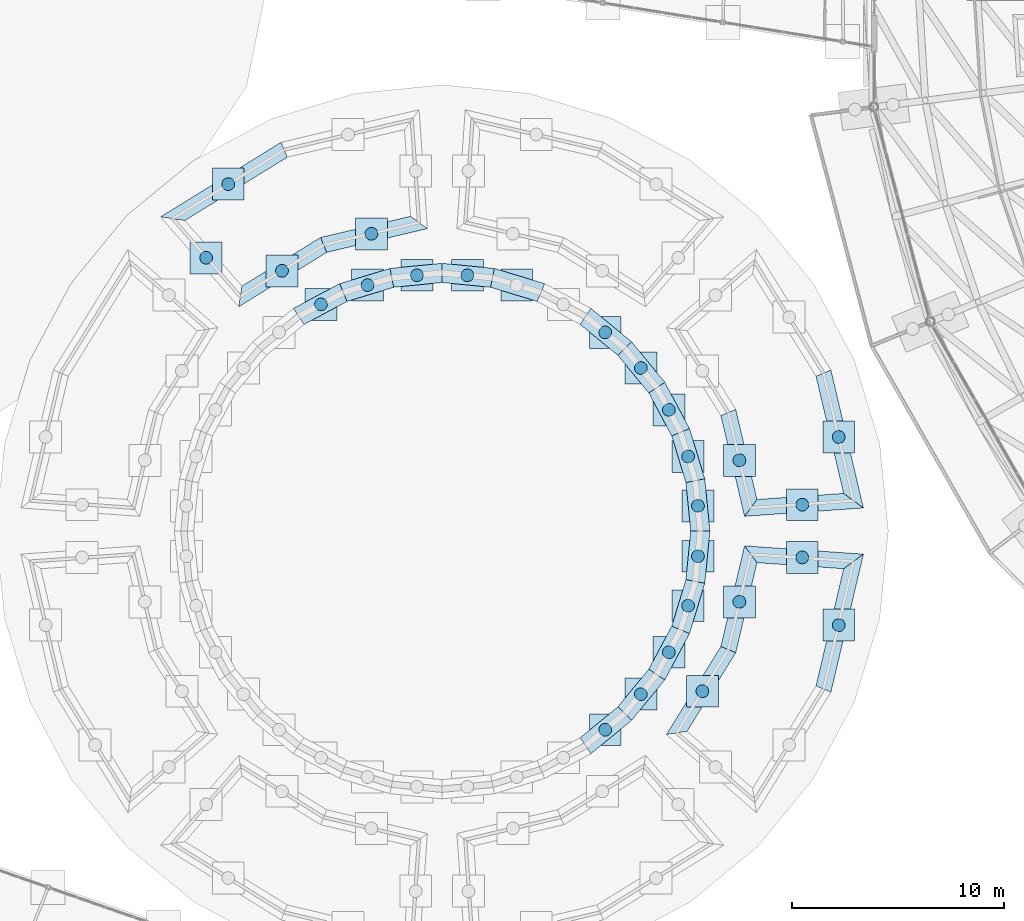
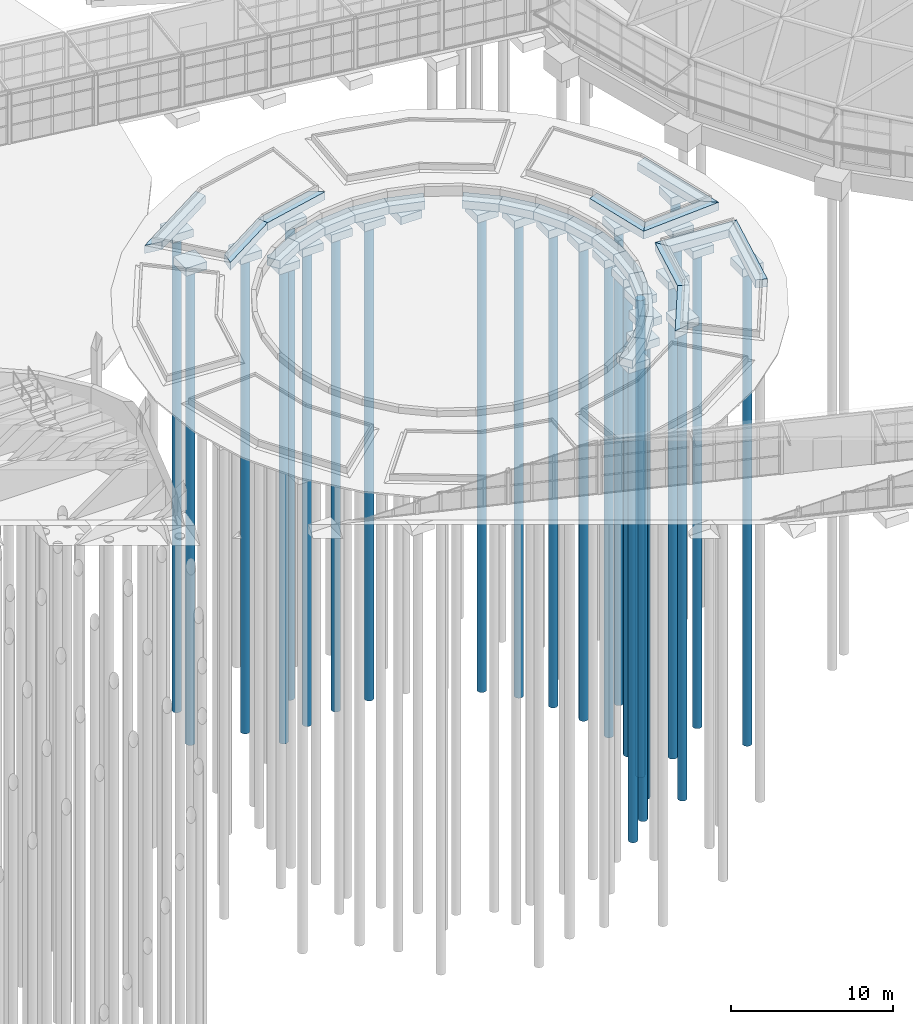
# One storey, part 5 of 226: 51 footings, 25 piles.
"""IFC4 building model written with IfcOpenShell, lengths in metres."""

import ifcopenshell
import ifcopenshell.guid

model = None  # the IFC model being written
_history = None  # IfcOwnerHistory: only IFC2X3 demands one
_inside = {}  # id of a spatial element -> (the spatial element, [elements in it])
_under = {}  # id of a project, library or spatial element -> (it, [spatial elements below it])
_declared = {}  # id of a project -> (the project, [libraries it declares])
_typed = {}  # id of a type object -> (the type object, [elements of that type])
_made_of = {}  # id of a material, layer set ... -> (it, [elements and type objects made of it])


def new_model(schema):
    """Start an empty IFC model of exactly this schema.

    Asked for "IFC4X3", IfcOpenShell would pick the latest addendum, in which some entities
    have other attributes; the version numbers below select the first issue.
    IFC2X3 requires an IfcOwnerHistory on every rooted entity: one is made here for all.
    """
    global model, _history
    if schema == "IFC4X3":
        model = ifcopenshell.file(schema_version=(4, 3, 0, 0))
    else:
        model = ifcopenshell.file(schema=schema)
    _inside.clear()
    _under.clear()
    _declared.clear()
    _typed.clear()
    _made_of.clear()
    _history = None
    if model.schema == "IFC2X3":
        org = make("IfcOrganization", Name="unknown")
        user = make(
            "IfcPersonAndOrganization",
            ThePerson=make("IfcPerson", FamilyName="unknown"),
            TheOrganization=org,
        )
        app = make(
            "IfcApplication",
            ApplicationDeveloper=org,
            Version="unknown",
            ApplicationFullName="unknown",
            ApplicationIdentifier="unknown",
        )
        _history = make(
            "IfcOwnerHistory",
            OwningUser=user,
            OwningApplication=app,
            ChangeAction="ADDED",
            CreationDate=0,
        )
    return model


def make(cls, **values):
    """One entity of the class cls with the attributes given. An attribute that is None is left unset."""
    return model.create_entity(
        cls, **{name: value for name, value in values.items() if value is not None}
    )


def rooted(cls, **values):
    """An entity with a GlobalId (a new one), such as an element, a storey or a relation."""
    return make(cls, GlobalId=ifcopenshell.guid.new(), OwnerHistory=_history, **values)


def si_unit(unit_type, name, prefix=None):
    """IfcSIUnit, for example si_unit("LENGTHUNIT", "METRE", prefix="MILLI")."""
    return make("IfcSIUnit", UnitType=unit_type, Prefix=prefix, Name=name)


def assignment(units):
    """IfcUnitAssignment: the units of a project."""
    return None if units is None else make("IfcUnitAssignment", Units=units)


def point(xyz):
    """IfcCartesianPoint."""
    return None if xyz is None else make("IfcCartesianPoint", Coordinates=xyz)


def direction(xyz):
    """IfcDirection."""
    return None if xyz is None else make("IfcDirection", DirectionRatios=xyz)


def frame(location, z_axis=None, x_axis=None):
    """IfcAxis2Placement3D, a coordinate frame: its origin and axes. An axis left out is left unset."""
    return make(
        "IfcAxis2Placement3D",
        Location=point(location),
        Axis=direction(z_axis),
        RefDirection=direction(x_axis),
    )


def frame_2d(location, x_axis=None):
    """IfcAxis2Placement2D, a coordinate frame in the plane: its origin and x axis."""
    return make(
        "IfcAxis2Placement2D", Location=point(location), RefDirection=direction(x_axis)
    )


def origin():
    """The frame at (0, 0, 0) with its axes left unset."""
    return frame((0.0, 0.0, 0.0))


def origin_2d():
    """The frame at (0, 0) in the plane with its x axis left unset."""
    return frame_2d((0.0, 0.0))


def place(relative_to, where):
    """IfcLocalPlacement: puts the frame where relative to a parent placement (None: the world)."""
    return make(
        "IfcLocalPlacement", PlacementRelTo=relative_to, RelativePlacement=where
    )


def context(
    kind, dimensions, precision=None, world=None, true_north=None, identifier=None
):
    """IfcGeometricRepresentationContext, for example the 3D "Model" context."""
    return make(
        "IfcGeometricRepresentationContext",
        ContextIdentifier=identifier,
        ContextType=kind,
        CoordinateSpaceDimension=dimensions,
        Precision=precision,
        WorldCoordinateSystem=world,
        TrueNorth=true_north,
    )


def subcontext(parent, identifier, kind, view, scale=None):
    """IfcGeometricRepresentationSubContext, for example "Body" below "Model"."""
    return make(
        "IfcGeometricRepresentationSubContext",
        ContextIdentifier=identifier,
        ContextType=kind,
        ParentContext=parent,
        TargetScale=scale,
        TargetView=view,
    )


def project(units=None, contexts=None):
    """IfcProject with its units and contexts."""
    return rooted(
        "IfcProject",
        Name="project",
        RepresentationContexts=contexts,
        UnitsInContext=assignment(units),
    )


def spatial(cls, under=None, at=None, **own):
    """A site, building, storey or space (cls), placed at a placement, below another one or the project."""
    s = rooted(cls, ObjectPlacement=at, **own)
    if under is not None:
        _under.setdefault(under.id(), (under, []))[1].append(s)
    return s


def polyline(points):
    """IfcPolyline through the points."""
    return make("IfcPolyline", Points=[point(p) for p in points])


def profile(cls, at=None, kind="AREA", **sizes):
    """A parametric profile (cls). Its sizes go by their IFC names, for example OverallWidth=200.0."""
    return make(cls, ProfileType=kind, Position=at, **sizes)


def circle(**sizes):
    """IfcCircleProfileDef."""
    return profile("IfcCircleProfileDef", **sizes)


def outline(outer, holes=None, kind="AREA"):
    """IfcArbitraryClosedProfileDef: a profile drawn as a closed curve; with holes, ...WithVoids."""
    if holes is None:
        return make("IfcArbitraryClosedProfileDef", ProfileType=kind, OuterCurve=outer)
    return make(
        "IfcArbitraryProfileDefWithVoids",
        ProfileType=kind,
        OuterCurve=outer,
        InnerCurves=holes,
    )


def extrude(swept, where, along, depth):
    """IfcExtrudedAreaSolid: the profile swept, set in the frame where, extruded along a direction by depth."""
    return make(
        "IfcExtrudedAreaSolid",
        SweptArea=swept,
        Position=where,
        ExtrudedDirection=direction(along),
        Depth=depth,
    )


def shape(context_of_items, identifier, shape_type, items):
    """IfcShapeRepresentation: the items that make up one representation, for example the "Body"."""
    return make(
        "IfcShapeRepresentation",
        ContextOfItems=context_of_items,
        RepresentationIdentifier=identifier,
        RepresentationType=shape_type,
        Items=items,
    )


def material(Name=None, Category=None):
    """IfcMaterial."""
    return make("IfcMaterial", Name=Name, Category=Category)


def layer(
    of_material, thickness, ventilated=None, Name=None, Category=None, Priority=None
):
    """IfcMaterialLayer: one layer of a wall or slab, of a material (None: an air gap)."""
    return make(
        "IfcMaterialLayer",
        Material=of_material,
        LayerThickness=thickness,
        IsVentilated=ventilated,
        Name=Name,
        Category=Category,
        Priority=Priority,
    )


def layer_set(layers, Name=None):
    """IfcMaterialLayerSet."""
    return make("IfcMaterialLayerSet", MaterialLayers=layers, LayerSetName=Name)


def material_profile(
    of_material, cross_section, Name=None, Category=None, Priority=None
):
    """IfcMaterialProfile: a cross section and its material."""
    return make(
        "IfcMaterialProfile",
        Name=Name,
        Material=of_material,
        Profile=cross_section,
        Priority=Priority,
        Category=Category,
    )


def profile_set(profiles, Name=None, composite=None):
    """IfcMaterialProfileSet."""
    return make(
        "IfcMaterialProfileSet",
        Name=Name,
        MaterialProfiles=profiles,
        CompositeProfile=composite,
    )


def made_of(thing, what):
    """Note that an element or type object is made of a material, layer set ...; save() writes the relation."""
    if what is not None:
        _made_of.setdefault(what.id(), (what, []))[1].append(thing)
    return thing


def type_object(cls, material=None, **own):
    """A type object (cls), such as IfcWallType, which elements share."""
    return made_of(rooted(cls, **own), material)


def element(
    cls,
    number,
    at=None,
    inside=None,
    cuts=None,
    type_object=None,
    material=None,
    context=None,
    identifier="Body",
    shape_type=None,
    held_by="IfcProductDefinitionShape",
    body=None,
    shapes=None,
    **own,
):
    """One element of the class cls, such as IfcWall. Its Tag is "e" and its number.

    at: its placement. inside: the storey or other place that contains it. cuts: it is an
    opening in that element (IfcRelVoidsElement). A single representation is given by context,
    identifier, shape_type and body (its items); several are given by shapes. held_by: the class
    of the entity that holds the representations. save() writes the other relations.
    """
    e = rooted(cls, Tag="e%d" % number, ObjectPlacement=at, **own)
    if body is not None:
        shapes = [shape(context, identifier, shape_type, body)]
    if shapes is not None:
        e.Representation = make(held_by, Representations=shapes)
    if inside is not None:
        _inside.setdefault(inside.id(), (inside, []))[1].append(e)
    if cuts is not None:
        rooted(
            "IfcRelVoidsElement", RelatingBuildingElement=cuts, RelatedOpeningElement=e
        )
    if type_object is not None:
        _typed.setdefault(type_object.id(), (type_object, []))[1].append(e)
    return made_of(e, material)


def aggregate(whole, parts):
    """IfcRelAggregates: a whole, such as a stair, and the parts it consists of."""
    return rooted("IfcRelAggregates", RelatingObject=whole, RelatedObjects=parts)


def save(model, path):
    """Write the relations noted so far, then the file.

    IfcRelAggregates (storeys below a building ...), IfcRelContainedInSpatialStructure (elements
    in a storey), IfcRelDefinesByType, IfcRelAssociatesMaterial and IfcRelDeclares: one each for
    every whole, place, type object, material and project.
    """
    for whole, parts in _under.values():
        aggregate(whole, parts)
    for where, things in _inside.values():
        rooted(
            "IfcRelContainedInSpatialStructure",
            RelatedElements=things,
            RelatingStructure=where,
        )
    for kind, things in _typed.values():
        rooted("IfcRelDefinesByType", RelatedObjects=things, RelatingType=kind)
    for what, things in _made_of.values():
        rooted("IfcRelAssociatesMaterial", RelatedObjects=things, RelatingMaterial=what)
    for by, libraries in _declared.values():
        rooted("IfcRelDeclares", RelatingContext=by, RelatedDefinitions=libraries)
    model.write(path)


model = new_model("IFC4")

# Units and contexts
model_context = context("Model", 3, precision=1e-05, world=origin(), true_north=direction((0.0, 1.0)))
body_context = subcontext(model_context, "Body", "Model", "MODEL_VIEW")
ifc_project = project(units=[si_unit("LENGTHUNIT", "METRE"), si_unit("AREAUNIT", "SQUARE_METRE"), si_unit("VOLUMEUNIT", "CUBIC_METRE"), si_unit("PLANEANGLEUNIT", "RADIAN"), si_unit("MASSUNIT", "GRAM", prefix="KILO")], contexts=[model_context])

# Site, building, storey
site_placement = place(None, origin())
site = spatial("IfcSite", under=ifc_project, at=site_placement, CompositionType="ELEMENT")
building_placement = place(site_placement, origin())
building = spatial("IfcBuilding", under=site, at=building_placement, Name="Ceibo Conservatory and Research Tower", CompositionType="ELEMENT")
storey_placement = place(building_placement, origin())
storey = spatial("IfcBuildingStorey", under=building, at=storey_placement, Name="L00", CompositionType="ELEMENT", Elevation=0.0)

# Piles
ifc_material_1 = material(Name="Concrete C35/45", Category="concrete")
ifc_material_profile = material_profile(ifc_material_1, circle(Radius=0.300048828125, at=origin_2d()), Name="RC D600")
ifc_profile_set = profile_set([ifc_material_profile], Name="Concrete C35/45")
pile_type = type_object("IfcPileType", Name="Bored pile D600", PredefinedType="BORED", material=ifc_profile_set)
for number, where, z_axis, x_axis, name in (
    (1, (108.0380859375, 84.185546875, -1.550048828125), (0.0, 0.0, -1.0), (1.0, 0.0, 0.0), "Pile CARRY.SITE.STRIP.COURT.BASIN.KERB.F01 01"),
    (2, (107.575439453125, 86.511474609375, -1.550048828125), (0.0, 0.0, -1.0), (1.0, 0.0, 0.0), "Pile CARRY.SITE.STRIP.COURT.BASIN.KERB.F02 01"),
    (3, (106.66796875, 88.7021484375, -1.550048828125), (0.0, 0.0, -1.0), (1.0, 0.0, 0.0), "Pile CARRY.SITE.STRIP.COURT.BASIN.KERB.F03 01"),
    (4, (105.3505859375, 90.673828125, -1.550048828125), (0.0, 0.0, -1.0), (1.0, 0.0, 0.0), "Pile CARRY.SITE.STRIP.COURT.BASIN.KERB.F04 01"),
    (5, (103.673828125, 92.3505859375, -1.550048828125), (0.0, 0.0, -1.0), (1.0, 0.0, 0.0), "Pile CARRY.SITE.STRIP.COURT.BASIN.KERB.F05 01"),
    (6, (97.185546875, 95.0380859375, -1.550048828125), (0.0, 0.0, -1.0), (1.0, 0.0, 0.0), "Pile CARRY.SITE.STRIP.COURT.BASIN.KERB.F08 01"),
    (7, (94.814453125, 95.0380859375, -1.550048828125), (0.0, 0.0, -1.0), (1.0, 0.0, 0.0), "Pile CARRY.SITE.STRIP.COURT.BASIN.KERB.F09 01"),
    (8, (92.488525390625, 94.575439453125, -1.550048828125), (0.0, 0.0, -1.0), (1.0, 0.0, 0.0), "Pile CARRY.SITE.STRIP.COURT.BASIN.KERB.F10 01"),
    (9, (90.2978515625, 93.66796875, -1.550048828125), (0.0, 0.0, -1.0), (1.0, 0.0, 0.0), "Pile CARRY.SITE.STRIP.COURT.BASIN.KERB.F11 01"),
    (10, (103.673828125, 73.6494140625, -1.550048828125), (0.0, 0.0, -1.0), (1.0, 0.0, 0.0), "Pile CARRY.SITE.STRIP.COURT.BASIN.KERB.F28 01"),
    (11, (105.3505859375, 75.326171875, -1.550048828125), (0.0, 0.0, -1.0), (1.0, 0.0, 0.0), "Pile CARRY.SITE.STRIP.COURT.BASIN.KERB.F29 01"),
    (12, (106.66796875, 77.2978515625, -1.550048828125), (0.0, 0.0, -1.0), (1.0, 0.0, 0.0), "Pile CARRY.SITE.STRIP.COURT.BASIN.KERB.F30 01"),
    (13, (107.575439453125, 79.488525390625, -1.550048828125), (0.0, 0.0, -1.0), (1.0, 0.0, 0.0), "Pile CARRY.SITE.STRIP.COURT.BASIN.KERB.F31 01"),
    (14, (108.0380859375, 81.814453125, -1.550048828125), (0.0, 0.0, -1.0), (1.0, 0.0, 0.0), "Pile CARRY.SITE.STRIP.COURT.BASIN.KERB.F32 01"),
    (15, (112.94580078125, 84.240478515625, -1.10009765625), (0.0, 0.0, -1.0), (1.0, 0.0, 0.0), "Pile CARRY.SITE.STRIP.COURT.PB1.KERB.F01 01"),
    (16, (114.663330078125, 87.428466796875, -1.10009765625), (0.0, 0.0, -1.0), (1.0, 0.0, 0.0), "Pile CARRY.SITE.STRIP.COURT.PB1.KERB.F02 01"),
    (17, (109.98876953125, 86.329345703125, -1.10009765625), (0.0, 0.0, -1.0), (1.0, 0.0, 0.0), "Pile CARRY.SITE.STRIP.COURT.PB1.KERB.F06 01"),
    (18, (85.934326171875, 99.328369140625, -1.10009765625), (0.0, 0.0, -1.0), (1.0, 0.0, 0.0), "Pile CARRY.SITE.STRIP.COURT.PB3.KERB.F03 01"),
    (19, (84.894775390625, 95.859619140625, -1.10009765625), (0.0, 0.0, -1.0), (1.0, 0.0, 0.0), "Pile CARRY.SITE.STRIP.COURT.PB3.KERB.F04 01"),
    (20, (88.462646484375, 95.245849609375, -1.10009765625), (0.0, 0.0, -1.0), (1.0, 0.0, 0.0), "Pile CARRY.SITE.STRIP.COURT.PB3.KERB.F05 01"),
    (21, (92.670654296875, 96.98876953125, -1.10009765625), (0.0, 0.0, -1.0), (1.0, 0.0, 0.0), "Pile CARRY.SITE.STRIP.COURT.PB3.KERB.F06 01"),
    (22, (114.663330078125, 78.571533203125, -1.10009765625), (0.0, 0.0, -1.0), (1.0, 0.0, 0.0), "Pile CARRY.SITE.STRIP.COURT.PB8.KERB.F03 01"),
    (23, (112.94580078125, 81.759521484375, -1.10009765625), (0.0, 0.0, -1.0), (1.0, 0.0, 0.0), "Pile CARRY.SITE.STRIP.COURT.PB8.KERB.F04 01"),
    (24, (109.98876953125, 79.670654296875, -1.10009765625), (0.0, 0.0, -1.0), (1.0, 0.0, 0.0), "Pile CARRY.SITE.STRIP.COURT.PB8.KERB.F05 01"),
    (25, (108.245849609375, 75.462646484375, -1.10009765625), (0.0, 0.0, -1.0), (1.0, 0.0, 0.0), "Pile CARRY.SITE.STRIP.COURT.PB8.KERB.F06 01"),
):
    element("IfcPile", number, at=place(storey_placement, frame(where, z_axis=z_axis, x_axis=x_axis)), inside=storey, type_object=pile_type, Name=name, PredefinedType="BORED", context=body_context, shape_type="SweptSolid", body=[
        extrude(circle(Radius=0.300048828125, at=origin_2d()), origin(), (0.0, 0.0, 1.0), 36.0),
    ])

# Footings
ifc_material_2 = material(Name="Concrete C40/50", Category="concrete")
ifc_layer_1 = layer(ifc_material_2, 0.60009765625)
ifc_layer_set_1 = layer_set([ifc_layer_1], Name="Concrete C40/50")
footing_type_1 = type_object("IfcFootingType", Name="Pile cap 1500x1500x600", PredefinedType="PILE_CAP", material=ifc_layer_set_1)
footing_1_placement = place(storey_placement, frame((0.0, 0.0, -1.64990234375)))
element("IfcFooting", 26, at=footing_1_placement, inside=storey, type_object=footing_type_1, Name="Pile cap CARRY.SITE.STRIP.COURT.BASIN.KERB.F01", PredefinedType="PILE_CAP", context=body_context, shape_type="SweptSolid", body=[
    extrude(outline(polyline([(108.7880859375, 83.435546875), (108.7880859375, 84.935546875), (107.2880859375, 84.935546875), (107.2880859375, 83.435546875), (108.7880859375, 83.435546875)])), origin(), (0.0, 0.0, 1.0), 0.599853515625),
])
footing_2_placement = place(storey_placement, frame((0.0, 0.0, -1.64990234375)))
element("IfcFooting", 27, at=footing_2_placement, inside=storey, type_object=footing_type_1, Name="Pile cap CARRY.SITE.STRIP.COURT.BASIN.KERB.F02", PredefinedType="PILE_CAP", context=body_context, shape_type="SweptSolid", body=[
    extrude(outline(polyline([(108.325439453125, 85.761474609375), (108.325439453125, 87.261474609375), (106.825439453125, 87.261474609375), (106.825439453125, 85.761474609375), (108.325439453125, 85.761474609375)])), origin(), (0.0, 0.0, 1.0), 0.599853515625),
])
footing_3_placement = place(storey_placement, frame((0.0, 0.0, -1.64990234375)))
element("IfcFooting", 28, at=footing_3_placement, inside=storey, type_object=footing_type_1, Name="Pile cap CARRY.SITE.STRIP.COURT.BASIN.KERB.F03", PredefinedType="PILE_CAP", context=body_context, shape_type="SweptSolid", body=[
    extrude(outline(polyline([(107.41796875, 87.9521484375), (107.41796875, 89.4521484375), (105.91796875, 89.4521484375), (105.91796875, 87.9521484375), (107.41796875, 87.9521484375)])), origin(), (0.0, 0.0, 1.0), 0.599853515625),
])
footing_4_placement = place(storey_placement, frame((0.0, 0.0, -1.64990234375)))
element("IfcFooting", 29, at=footing_4_placement, inside=storey, type_object=footing_type_1, Name="Pile cap CARRY.SITE.STRIP.COURT.BASIN.KERB.F04", PredefinedType="PILE_CAP", context=body_context, shape_type="SweptSolid", body=[
    extrude(outline(polyline([(106.1005859375, 89.923828125), (106.1005859375, 91.423828125), (104.6005859375, 91.423828125), (104.6005859375, 89.923828125), (106.1005859375, 89.923828125)])), origin(), (0.0, 0.0, 1.0), 0.599853515625),
])
footing_5_placement = place(storey_placement, frame((0.0, 0.0, -1.64990234375)))
element("IfcFooting", 30, at=footing_5_placement, inside=storey, type_object=footing_type_1, Name="Pile cap CARRY.SITE.STRIP.COURT.BASIN.KERB.F05", PredefinedType="PILE_CAP", context=body_context, shape_type="SweptSolid", body=[
    extrude(outline(polyline([(104.423828125, 91.6005859375), (104.423828125, 93.1005859375), (102.923828125, 93.1005859375), (102.923828125, 91.6005859375), (104.423828125, 91.6005859375)])), origin(), (0.0, 0.0, 1.0), 0.599853515625),
])
footing_6_placement = place(storey_placement, frame((0.0, 0.0, -1.64990234375)))
element("IfcFooting", 31, at=footing_6_placement, inside=storey, type_object=footing_type_1, Name="Pile cap CARRY.SITE.STRIP.COURT.BASIN.KERB.F07", PredefinedType="PILE_CAP", context=body_context, shape_type="SweptSolid", body=[
    extrude(outline(polyline([(100.261474609375, 93.825439453125), (100.261474609375, 95.325439453125), (98.761474609375, 95.325439453125), (98.761474609375, 93.825439453125), (100.261474609375, 93.825439453125)])), origin(), (0.0, 0.0, 1.0), 0.599853515625),
])
footing_7_placement = place(storey_placement, frame((0.0, 0.0, -1.64990234375)))
element("IfcFooting", 32, at=footing_7_placement, inside=storey, type_object=footing_type_1, Name="Pile cap CARRY.SITE.STRIP.COURT.BASIN.KERB.F08", PredefinedType="PILE_CAP", context=body_context, shape_type="SweptSolid", body=[
    extrude(outline(polyline([(97.935546875, 94.2880859375), (97.935546875, 95.7880859375), (96.435546875, 95.7880859375), (96.435546875, 94.2880859375), (97.935546875, 94.2880859375)])), origin(), (0.0, 0.0, 1.0), 0.599853515625),
])
footing_8_placement = place(storey_placement, frame((0.0, 0.0, -1.64990234375)))
element("IfcFooting", 33, at=footing_8_placement, inside=storey, type_object=footing_type_1, Name="Pile cap CARRY.SITE.STRIP.COURT.BASIN.KERB.F09", PredefinedType="PILE_CAP", context=body_context, shape_type="SweptSolid", body=[
    extrude(outline(polyline([(95.564453125, 94.2880859375), (95.564453125, 95.7880859375), (94.064453125, 95.7880859375), (94.064453125, 94.2880859375), (95.564453125, 94.2880859375)])), origin(), (0.0, 0.0, 1.0), 0.599853515625),
])
footing_9_placement = place(storey_placement, frame((0.0, 0.0, -1.64990234375)))
element("IfcFooting", 34, at=footing_9_placement, inside=storey, type_object=footing_type_1, Name="Pile cap CARRY.SITE.STRIP.COURT.BASIN.KERB.F10", PredefinedType="PILE_CAP", context=body_context, shape_type="SweptSolid", body=[
    extrude(outline(polyline([(93.238525390625, 93.825439453125), (93.238525390625, 95.325439453125), (91.738525390625, 95.325439453125), (91.738525390625, 93.825439453125), (93.238525390625, 93.825439453125)])), origin(), (0.0, 0.0, 1.0), 0.599853515625),
])
footing_10_placement = place(storey_placement, frame((0.0, 0.0, -1.64990234375)))
element("IfcFooting", 35, at=footing_10_placement, inside=storey, type_object=footing_type_1, Name="Pile cap CARRY.SITE.STRIP.COURT.BASIN.KERB.F11", PredefinedType="PILE_CAP", context=body_context, shape_type="SweptSolid", body=[
    extrude(outline(polyline([(91.0478515625, 92.91796875), (91.0478515625, 94.41796875), (89.5478515625, 94.41796875), (89.5478515625, 92.91796875), (91.0478515625, 92.91796875)])), origin(), (0.0, 0.0, 1.0), 0.599853515625),
])
footing_11_placement = place(storey_placement, frame((0.0, 0.0, -1.64990234375)))
element("IfcFooting", 36, at=footing_11_placement, inside=storey, type_object=footing_type_1, Name="Pile cap CARRY.SITE.STRIP.COURT.BASIN.KERB.F28", PredefinedType="PILE_CAP", context=body_context, shape_type="SweptSolid", body=[
    extrude(outline(polyline([(104.423828125, 72.8994140625), (104.423828125, 74.3994140625), (102.923828125, 74.3994140625), (102.923828125, 72.8994140625), (104.423828125, 72.8994140625)])), origin(), (0.0, 0.0, 1.0), 0.599853515625),
])
footing_12_placement = place(storey_placement, frame((0.0, 0.0, -1.64990234375)))
element("IfcFooting", 37, at=footing_12_placement, inside=storey, type_object=footing_type_1, Name="Pile cap CARRY.SITE.STRIP.COURT.BASIN.KERB.F29", PredefinedType="PILE_CAP", context=body_context, shape_type="SweptSolid", body=[
    extrude(outline(polyline([(106.1005859375, 74.576171875), (106.1005859375, 76.076171875), (104.6005859375, 76.076171875), (104.6005859375, 74.576171875), (106.1005859375, 74.576171875)])), origin(), (0.0, 0.0, 1.0), 0.599853515625),
])
footing_13_placement = place(storey_placement, frame((0.0, 0.0, -1.64990234375)))
element("IfcFooting", 38, at=footing_13_placement, inside=storey, type_object=footing_type_1, Name="Pile cap CARRY.SITE.STRIP.COURT.BASIN.KERB.F30", PredefinedType="PILE_CAP", context=body_context, shape_type="SweptSolid", body=[
    extrude(outline(polyline([(107.41796875, 76.5478515625), (107.41796875, 78.0478515625), (105.91796875, 78.0478515625), (105.91796875, 76.5478515625), (107.41796875, 76.5478515625)])), origin(), (0.0, 0.0, 1.0), 0.599853515625),
])
footing_14_placement = place(storey_placement, frame((0.0, 0.0, -1.64990234375)))
element("IfcFooting", 39, at=footing_14_placement, inside=storey, type_object=footing_type_1, Name="Pile cap CARRY.SITE.STRIP.COURT.BASIN.KERB.F31", PredefinedType="PILE_CAP", context=body_context, shape_type="SweptSolid", body=[
    extrude(outline(polyline([(108.325439453125, 78.738525390625), (108.325439453125, 80.238525390625), (106.825439453125, 80.238525390625), (106.825439453125, 78.738525390625), (108.325439453125, 78.738525390625)])), origin(), (0.0, 0.0, 1.0), 0.599853515625),
])
footing_15_placement = place(storey_placement, frame((0.0, 0.0, -1.64990234375)))
element("IfcFooting", 40, at=footing_15_placement, inside=storey, type_object=footing_type_1, Name="Pile cap CARRY.SITE.STRIP.COURT.BASIN.KERB.F32", PredefinedType="PILE_CAP", context=body_context, shape_type="SweptSolid", body=[
    extrude(outline(polyline([(108.7880859375, 81.064453125), (108.7880859375, 82.564453125), (107.2880859375, 82.564453125), (107.2880859375, 81.064453125), (108.7880859375, 81.064453125)])), origin(), (0.0, 0.0, 1.0), 0.599853515625),
])
footing_16_placement = place(storey_placement, frame((0.0, 0.0, -1.199951171875)))
element("IfcFooting", 41, at=footing_16_placement, inside=storey, type_object=footing_type_1, Name="Pile cap CARRY.SITE.STRIP.COURT.PB1.KERB.F01", PredefinedType="PILE_CAP", context=body_context, shape_type="SweptSolid", body=[
    extrude(outline(polyline([(113.69580078125, 83.490478515625), (113.69580078125, 84.990478515625), (112.19580078125, 84.990478515625), (112.19580078125, 83.490478515625), (113.69580078125, 83.490478515625)])), origin(), (0.0, 0.0, 1.0), 0.599853515625),
])
footing_17_placement = place(storey_placement, frame((0.0, 0.0, -1.199951171875)))
element("IfcFooting", 42, at=footing_17_placement, inside=storey, type_object=footing_type_1, Name="Pile cap CARRY.SITE.STRIP.COURT.PB1.KERB.F02", PredefinedType="PILE_CAP", context=body_context, shape_type="SweptSolid", body=[
    extrude(outline(polyline([(115.413330078125, 86.678466796875), (115.413330078125, 88.178466796875), (113.913330078125, 88.178466796875), (113.913330078125, 86.678466796875), (115.413330078125, 86.678466796875)])), origin(), (0.0, 0.0, 1.0), 0.599853515625),
])
footing_18_placement = place(storey_placement, frame((0.0, 0.0, -1.199951171875)))
element("IfcFooting", 43, at=footing_18_placement, inside=storey, type_object=footing_type_1, Name="Pile cap CARRY.SITE.STRIP.COURT.PB1.KERB.F06", PredefinedType="PILE_CAP", context=body_context, shape_type="SweptSolid", body=[
    extrude(outline(polyline([(110.73876953125, 85.579345703125), (110.73876953125, 87.079345703125), (109.23876953125, 87.079345703125), (109.23876953125, 85.579345703125), (110.73876953125, 85.579345703125)])), origin(), (0.0, 0.0, 1.0), 0.599853515625),
])
footing_19_placement = place(storey_placement, frame((0.0, 0.0, -1.199951171875)))
element("IfcFooting", 44, at=footing_19_placement, inside=storey, type_object=footing_type_1, Name="Pile cap CARRY.SITE.STRIP.COURT.PB3.KERB.F03", PredefinedType="PILE_CAP", context=body_context, shape_type="SweptSolid", body=[
    extrude(outline(polyline([(86.684326171875, 98.578369140625), (86.684326171875, 100.078369140625), (85.184326171875, 100.078369140625), (85.184326171875, 98.578369140625), (86.684326171875, 98.578369140625)])), origin(), (0.0, 0.0, 1.0), 0.599853515625),
])
footing_20_placement = place(storey_placement, frame((0.0, 0.0, -1.199951171875)))
element("IfcFooting", 45, at=footing_20_placement, inside=storey, type_object=footing_type_1, Name="Pile cap CARRY.SITE.STRIP.COURT.PB3.KERB.F04", PredefinedType="PILE_CAP", context=body_context, shape_type="SweptSolid", body=[
    extrude(outline(polyline([(85.644775390625, 95.109619140625), (85.644775390625, 96.609619140625), (84.144775390625, 96.609619140625), (84.144775390625, 95.109619140625), (85.644775390625, 95.109619140625)])), origin(), (0.0, 0.0, 1.0), 0.599853515625),
])
footing_21_placement = place(storey_placement, frame((0.0, 0.0, -1.199951171875)))
element("IfcFooting", 46, at=footing_21_placement, inside=storey, type_object=footing_type_1, Name="Pile cap CARRY.SITE.STRIP.COURT.PB3.KERB.F05", PredefinedType="PILE_CAP", context=body_context, shape_type="SweptSolid", body=[
    extrude(outline(polyline([(89.212646484375, 94.495849609375), (89.212646484375, 95.995849609375), (87.712646484375, 95.995849609375), (87.712646484375, 94.495849609375), (89.212646484375, 94.495849609375)])), origin(), (0.0, 0.0, 1.0), 0.599853515625),
])
footing_22_placement = place(storey_placement, frame((0.0, 0.0, -1.199951171875)))
element("IfcFooting", 47, at=footing_22_placement, inside=storey, type_object=footing_type_1, Name="Pile cap CARRY.SITE.STRIP.COURT.PB3.KERB.F06", PredefinedType="PILE_CAP", context=body_context, shape_type="SweptSolid", body=[
    extrude(outline(polyline([(93.420654296875, 96.23876953125), (93.420654296875, 97.73876953125), (91.920654296875, 97.73876953125), (91.920654296875, 96.23876953125), (93.420654296875, 96.23876953125)])), origin(), (0.0, 0.0, 1.0), 0.599853515625),
])
footing_23_placement = place(storey_placement, frame((0.0, 0.0, -1.199951171875)))
element("IfcFooting", 48, at=footing_23_placement, inside=storey, type_object=footing_type_1, Name="Pile cap CARRY.SITE.STRIP.COURT.PB8.KERB.F03", PredefinedType="PILE_CAP", context=body_context, shape_type="SweptSolid", body=[
    extrude(outline(polyline([(115.413330078125, 77.821533203125), (115.413330078125, 79.321533203125), (113.913330078125, 79.321533203125), (113.913330078125, 77.821533203125), (115.413330078125, 77.821533203125)])), origin(), (0.0, 0.0, 1.0), 0.599853515625),
])
footing_24_placement = place(storey_placement, frame((0.0, 0.0, -1.199951171875)))
element("IfcFooting", 49, at=footing_24_placement, inside=storey, type_object=footing_type_1, Name="Pile cap CARRY.SITE.STRIP.COURT.PB8.KERB.F04", PredefinedType="PILE_CAP", context=body_context, shape_type="SweptSolid", body=[
    extrude(outline(polyline([(113.69580078125, 81.009521484375), (113.69580078125, 82.509521484375), (112.19580078125, 82.509521484375), (112.19580078125, 81.009521484375), (113.69580078125, 81.009521484375)])), origin(), (0.0, 0.0, 1.0), 0.599853515625),
])
footing_25_placement = place(storey_placement, frame((0.0, 0.0, -1.199951171875)))
element("IfcFooting", 50, at=footing_25_placement, inside=storey, type_object=footing_type_1, Name="Pile cap CARRY.SITE.STRIP.COURT.PB8.KERB.F05", PredefinedType="PILE_CAP", context=body_context, shape_type="SweptSolid", body=[
    extrude(outline(polyline([(110.73876953125, 78.920654296875), (110.73876953125, 80.420654296875), (109.23876953125, 80.420654296875), (109.23876953125, 78.920654296875), (110.73876953125, 78.920654296875)])), origin(), (0.0, 0.0, 1.0), 0.599853515625),
])
footing_26_placement = place(storey_placement, frame((0.0, 0.0, -1.199951171875)))
element("IfcFooting", 51, at=footing_26_placement, inside=storey, type_object=footing_type_1, Name="Pile cap CARRY.SITE.STRIP.COURT.PB8.KERB.F06", PredefinedType="PILE_CAP", context=body_context, shape_type="SweptSolid", body=[
    extrude(outline(polyline([(108.995849609375, 74.712646484375), (108.995849609375, 76.212646484375), (107.495849609375, 76.212646484375), (107.495849609375, 74.712646484375), (108.995849609375, 74.712646484375)])), origin(), (0.0, 0.0, 1.0), 0.599853515625),
])
ifc_layer_2 = layer(ifc_material_2, 0.60009765625)
ifc_layer_set_2 = layer_set([ifc_layer_2], Name="Concrete C40/50")
footing_type_2 = type_object("IfcFootingType", Name="Strip footing 750x600", PredefinedType="STRIP_FOOTING", material=ifc_layer_set_2)
footing_27_placement = place(storey_placement, frame((0.0, 0.0, -0.60009765625)))
element("IfcFooting", 52, at=footing_27_placement, inside=storey, type_object=footing_type_2, Name="Strip footing SITE.STRIP.COURT.PB1.KERB.F01", PredefinedType="STRIP_FOOTING", context=body_context, shape_type="SweptSolid", body=[
    extrude(outline(polyline([(110.231201171875, 83.6943359375), (115.825439453125, 84.085693359375), (114.89306640625, 84.772216796875), (110.81494140625, 84.487060546875), (110.231201171875, 83.6943359375)])), origin(), (0.0, 0.0, 1.0), 0.60009765625),
])
footing_28_placement = place(storey_placement, frame((0.0, 0.0, -0.60009765625)))
element("IfcFooting", 53, at=footing_28_placement, inside=storey, type_object=footing_type_2, Name="Strip footing SITE.STRIP.COURT.PB1.KERB.F02", PredefinedType="STRIP_FOOTING", context=body_context, shape_type="SweptSolid", body=[
    extrude(outline(polyline([(115.825439453125, 84.085693359375), (114.29638671875, 90.57861328125), (113.594482421875, 90.287841796875), (114.89306640625, 84.772216796875), (115.825439453125, 84.085693359375)])), origin(), (0.0, 0.0, 1.0), 0.60009765625),
])
footing_29_placement = place(storey_placement, frame((0.0, 0.0, -0.60009765625)))
element("IfcFooting", 54, at=footing_29_placement, inside=storey, type_object=footing_type_2, Name="Strip footing SITE.STRIP.COURT.PB1.KERB.F06", PredefinedType="STRIP_FOOTING", context=body_context, shape_type="SweptSolid", body=[
    extrude(outline(polyline([(109.115478515625, 88.4326171875), (110.231201171875, 83.6943359375), (110.81494140625, 84.487060546875), (109.8173828125, 88.723388671875), (109.115478515625, 88.4326171875)])), origin(), (0.0, 0.0, 1.0), 0.60009765625),
])
footing_30_placement = place(storey_placement, frame((0.0, 0.0, -0.60009765625)))
element("IfcFooting", 55, at=footing_30_placement, inside=storey, type_object=footing_type_2, Name="Strip footing SITE.STRIP.COURT.PB3.KERB.F03", PredefinedType="STRIP_FOOTING", context=body_context, shape_type="SweptSolid", body=[
    extrude(outline(polyline([(88.42138671875, 101.29638671875), (82.7490234375, 97.786376953125), (83.8935546875, 97.612548828125), (88.712158203125, 100.594482421875), (88.42138671875, 101.29638671875)])), origin(), (0.0, 0.0, 1.0), 0.60009765625),
])
footing_31_placement = place(storey_placement, frame((0.0, 0.0, -0.60009765625)))
element("IfcFooting", 56, at=footing_31_placement, inside=storey, type_object=footing_type_2, Name="Strip footing SITE.STRIP.COURT.PB3.KERB.F05", PredefinedType="STRIP_FOOTING", context=body_context, shape_type="SweptSolid", body=[
    extrude(outline(polyline([(86.427978515625, 93.553955078125), (90.5673828125, 96.115478515625), (90.276611328125, 96.8173828125), (86.57568359375, 94.52734375), (86.427978515625, 93.553955078125)])), origin(), (0.0, 0.0, 1.0), 0.60009765625),
])
footing_32_placement = place(storey_placement, frame((0.0, 0.0, -0.60009765625)))
element("IfcFooting", 57, at=footing_32_placement, inside=storey, type_object=footing_type_2, Name="Strip footing SITE.STRIP.COURT.PB3.KERB.F06", PredefinedType="STRIP_FOOTING", context=body_context, shape_type="SweptSolid", body=[
    extrude(outline(polyline([(90.5673828125, 96.115478515625), (95.3056640625, 97.231201171875), (94.512939453125, 97.81494140625), (90.276611328125, 96.8173828125), (90.5673828125, 96.115478515625)])), origin(), (0.0, 0.0, 1.0), 0.60009765625),
])
footing_33_placement = place(storey_placement, frame((0.0, 0.0, -0.60009765625)))
element("IfcFooting", 58, at=footing_33_placement, inside=storey, type_object=footing_type_2, Name="Strip footing SITE.STRIP.COURT.PB8.KERB.F03", PredefinedType="STRIP_FOOTING", context=body_context, shape_type="SweptSolid", body=[
    extrude(outline(polyline([(114.29638671875, 75.42138671875), (115.825439453125, 81.914306640625), (114.89306640625, 81.227783203125), (113.594482421875, 75.712158203125), (114.29638671875, 75.42138671875)])), origin(), (0.0, 0.0, 1.0), 0.60009765625),
])
footing_34_placement = place(storey_placement, frame((0.0, 0.0, -0.60009765625)))
element("IfcFooting", 59, at=footing_34_placement, inside=storey, type_object=footing_type_2, Name="Strip footing SITE.STRIP.COURT.PB8.KERB.F04", PredefinedType="STRIP_FOOTING", context=body_context, shape_type="SweptSolid", body=[
    extrude(outline(polyline([(115.825439453125, 81.914306640625), (110.231201171875, 82.3056640625), (110.81494140625, 81.512939453125), (114.89306640625, 81.227783203125), (115.825439453125, 81.914306640625)])), origin(), (0.0, 0.0, 1.0), 0.60009765625),
])
footing_35_placement = place(storey_placement, frame((0.0, 0.0, -0.60009765625)))
element("IfcFooting", 60, at=footing_35_placement, inside=storey, type_object=footing_type_2, Name="Strip footing SITE.STRIP.COURT.PB8.KERB.F05", PredefinedType="STRIP_FOOTING", context=body_context, shape_type="SweptSolid", body=[
    extrude(outline(polyline([(110.231201171875, 82.3056640625), (109.115478515625, 77.5673828125), (109.8173828125, 77.276611328125), (110.81494140625, 81.512939453125), (110.231201171875, 82.3056640625)])), origin(), (0.0, 0.0, 1.0), 0.60009765625),
])
footing_36_placement = place(storey_placement, frame((0.0, 0.0, -0.60009765625)))
element("IfcFooting", 61, at=footing_36_placement, inside=storey, type_object=footing_type_2, Name="Strip footing SITE.STRIP.COURT.PB8.KERB.F06", PredefinedType="STRIP_FOOTING", context=body_context, shape_type="SweptSolid", body=[
    extrude(outline(polyline([(109.115478515625, 77.5673828125), (106.553955078125, 73.427978515625), (107.52734375, 73.57568359375), (109.8173828125, 77.276611328125), (109.115478515625, 77.5673828125)])), origin(), (0.0, 0.0, 1.0), 0.60009765625),
])
ifc_layer_3 = layer(ifc_material_2, 0.60009765625)
ifc_layer_set_3 = layer_set([ifc_layer_3], Name="Concrete C40/50")
footing_type_3 = type_object("IfcFootingType", Name="Strip footing 900x600", PredefinedType="STRIP_FOOTING", material=ifc_layer_set_3)
footing_37_placement = place(storey_placement, frame((0.0, 0.0, -1.050048828125)))
element("IfcFooting", 62, at=footing_37_placement, inside=storey, type_object=footing_type_3, Name="Strip footing SITE.STRIP.COURT.BASIN.KERB.F01", PredefinedType="STRIP_FOOTING", context=body_context, shape_type="SweptSolid", body=[
    extrude(outline(polyline([(108.6015625, 83.0), (108.359375, 85.45849609375), (107.472412109375, 85.281982421875), (107.697021484375, 83.0), (108.6015625, 83.0)])), origin(), (0.0, 0.0, 1.0), 0.60009765625),
])
footing_38_placement = place(storey_placement, frame((0.0, 0.0, -1.050048828125)))
element("IfcFooting", 63, at=footing_38_placement, inside=storey, type_object=footing_type_3, Name="Strip footing SITE.STRIP.COURT.BASIN.KERB.F02", PredefinedType="STRIP_FOOTING", context=body_context, shape_type="SweptSolid", body=[
    extrude(outline(polyline([(108.359375, 85.45849609375), (107.642333984375, 87.822265625), (106.806640625, 87.476318359375), (107.472412109375, 85.281982421875), (108.359375, 85.45849609375)])), origin(), (0.0, 0.0, 1.0), 0.60009765625),
])
footing_39_placement = place(storey_placement, frame((0.0, 0.0, -1.050048828125)))
element("IfcFooting", 64, at=footing_39_placement, inside=storey, type_object=footing_type_3, Name="Strip footing SITE.STRIP.COURT.BASIN.KERB.F03", PredefinedType="STRIP_FOOTING", context=body_context, shape_type="SweptSolid", body=[
    extrude(outline(polyline([(107.642333984375, 87.822265625), (106.477783203125, 90.0009765625), (105.725830078125, 89.49853515625), (106.806640625, 87.476318359375), (107.642333984375, 87.822265625)])), origin(), (0.0, 0.0, 1.0), 0.60009765625),
])
footing_40_placement = place(storey_placement, frame((0.0, 0.0, -1.050048828125)))
element("IfcFooting", 65, at=footing_40_placement, inside=storey, type_object=footing_type_3, Name="Strip footing SITE.STRIP.COURT.BASIN.KERB.F04", PredefinedType="STRIP_FOOTING", context=body_context, shape_type="SweptSolid", body=[
    extrude(outline(polyline([(106.477783203125, 90.0009765625), (104.91064453125, 91.91064453125), (104.27099609375, 91.27099609375), (105.725830078125, 89.49853515625), (106.477783203125, 90.0009765625)])), origin(), (0.0, 0.0, 1.0), 0.60009765625),
])
footing_41_placement = place(storey_placement, frame((0.0, 0.0, -1.050048828125)))
element("IfcFooting", 66, at=footing_41_placement, inside=storey, type_object=footing_type_3, Name="Strip footing SITE.STRIP.COURT.BASIN.KERB.F05", PredefinedType="STRIP_FOOTING", context=body_context, shape_type="SweptSolid", body=[
    extrude(outline(polyline([(104.91064453125, 91.91064453125), (103.0009765625, 93.477783203125), (102.49853515625, 92.725830078125), (104.27099609375, 91.27099609375), (104.91064453125, 91.91064453125)])), origin(), (0.0, 0.0, 1.0), 0.60009765625),
])
footing_42_placement = place(storey_placement, frame((0.0, 0.0, -1.050048828125)))
element("IfcFooting", 67, at=footing_42_placement, inside=storey, type_object=footing_type_3, Name="Strip footing SITE.STRIP.COURT.BASIN.KERB.F07", PredefinedType="STRIP_FOOTING", context=body_context, shape_type="SweptSolid", body=[
    extrude(outline(polyline([(100.822265625, 94.642333984375), (98.45849609375, 95.359375), (98.281982421875, 94.472412109375), (100.476318359375, 93.806640625), (100.822265625, 94.642333984375)])), origin(), (0.0, 0.0, 1.0), 0.60009765625),
])
footing_43_placement = place(storey_placement, frame((0.0, 0.0, -1.050048828125)))
element("IfcFooting", 68, at=footing_43_placement, inside=storey, type_object=footing_type_3, Name="Strip footing SITE.STRIP.COURT.BASIN.KERB.F08", PredefinedType="STRIP_FOOTING", context=body_context, shape_type="SweptSolid", body=[
    extrude(outline(polyline([(98.45849609375, 95.359375), (96.0, 95.6015625), (96.0, 94.697021484375), (98.281982421875, 94.472412109375), (98.45849609375, 95.359375)])), origin(), (0.0, 0.0, 1.0), 0.60009765625),
])
footing_44_placement = place(storey_placement, frame((0.0, 0.0, -1.050048828125)))
element("IfcFooting", 69, at=footing_44_placement, inside=storey, type_object=footing_type_3, Name="Strip footing SITE.STRIP.COURT.BASIN.KERB.F09", PredefinedType="STRIP_FOOTING", context=body_context, shape_type="SweptSolid", body=[
    extrude(outline(polyline([(96.0, 95.6015625), (93.54150390625, 95.359375), (93.718017578125, 94.472412109375), (96.0, 94.697021484375), (96.0, 95.6015625)])), origin(), (0.0, 0.0, 1.0), 0.60009765625),
])
footing_45_placement = place(storey_placement, frame((0.0, 0.0, -1.050048828125)))
element("IfcFooting", 70, at=footing_45_placement, inside=storey, type_object=footing_type_3, Name="Strip footing SITE.STRIP.COURT.BASIN.KERB.F10", PredefinedType="STRIP_FOOTING", context=body_context, shape_type="SweptSolid", body=[
    extrude(outline(polyline([(93.54150390625, 95.359375), (91.177734375, 94.642333984375), (91.523681640625, 93.806640625), (93.718017578125, 94.472412109375), (93.54150390625, 95.359375)])), origin(), (0.0, 0.0, 1.0), 0.60009765625),
])
footing_46_placement = place(storey_placement, frame((0.0, 0.0, -1.050048828125)))
element("IfcFooting", 71, at=footing_46_placement, inside=storey, type_object=footing_type_3, Name="Strip footing SITE.STRIP.COURT.BASIN.KERB.F11", PredefinedType="STRIP_FOOTING", context=body_context, shape_type="SweptSolid", body=[
    extrude(outline(polyline([(91.177734375, 94.642333984375), (88.9990234375, 93.477783203125), (89.50146484375, 92.725830078125), (91.523681640625, 93.806640625), (91.177734375, 94.642333984375)])), origin(), (0.0, 0.0, 1.0), 0.60009765625),
])
footing_47_placement = place(storey_placement, frame((0.0, 0.0, -1.050048828125)))
element("IfcFooting", 72, at=footing_47_placement, inside=storey, type_object=footing_type_3, Name="Strip footing SITE.STRIP.COURT.BASIN.KERB.F28", PredefinedType="STRIP_FOOTING", context=body_context, shape_type="SweptSolid", body=[
    extrude(outline(polyline([(103.0009765625, 72.522216796875), (104.91064453125, 74.08935546875), (104.27099609375, 74.72900390625), (102.49853515625, 73.274169921875), (103.0009765625, 72.522216796875)])), origin(), (0.0, 0.0, 1.0), 0.60009765625),
])
footing_48_placement = place(storey_placement, frame((0.0, 0.0, -1.050048828125)))
element("IfcFooting", 73, at=footing_48_placement, inside=storey, type_object=footing_type_3, Name="Strip footing SITE.STRIP.COURT.BASIN.KERB.F29", PredefinedType="STRIP_FOOTING", context=body_context, shape_type="SweptSolid", body=[
    extrude(outline(polyline([(104.91064453125, 74.08935546875), (106.477783203125, 75.9990234375), (105.725830078125, 76.50146484375), (104.27099609375, 74.72900390625), (104.91064453125, 74.08935546875)])), origin(), (0.0, 0.0, 1.0), 0.60009765625),
])
footing_49_placement = place(storey_placement, frame((0.0, 0.0, -1.050048828125)))
element("IfcFooting", 74, at=footing_49_placement, inside=storey, type_object=footing_type_3, Name="Strip footing SITE.STRIP.COURT.BASIN.KERB.F30", PredefinedType="STRIP_FOOTING", context=body_context, shape_type="SweptSolid", body=[
    extrude(outline(polyline([(106.477783203125, 75.9990234375), (107.642333984375, 78.177734375), (106.806640625, 78.523681640625), (105.725830078125, 76.50146484375), (106.477783203125, 75.9990234375)])), origin(), (0.0, 0.0, 1.0), 0.60009765625),
])
footing_50_placement = place(storey_placement, frame((0.0, 0.0, -1.050048828125)))
element("IfcFooting", 75, at=footing_50_placement, inside=storey, type_object=footing_type_3, Name="Strip footing SITE.STRIP.COURT.BASIN.KERB.F31", PredefinedType="STRIP_FOOTING", context=body_context, shape_type="SweptSolid", body=[
    extrude(outline(polyline([(107.642333984375, 78.177734375), (108.359375, 80.54150390625), (107.472412109375, 80.718017578125), (106.806640625, 78.523681640625), (107.642333984375, 78.177734375)])), origin(), (0.0, 0.0, 1.0), 0.60009765625),
])
footing_51_placement = place(storey_placement, frame((0.0, 0.0, -1.050048828125)))
element("IfcFooting", 76, at=footing_51_placement, inside=storey, type_object=footing_type_3, Name="Strip footing SITE.STRIP.COURT.BASIN.KERB.F32", PredefinedType="STRIP_FOOTING", context=body_context, shape_type="SweptSolid", body=[
    extrude(outline(polyline([(108.359375, 80.54150390625), (108.6015625, 83.0), (107.697021484375, 83.0), (107.472412109375, 80.718017578125), (108.359375, 80.54150390625)])), origin(), (0.0, 0.0, 1.0), 0.60009765625),
])

save(model, "model.ifc")
